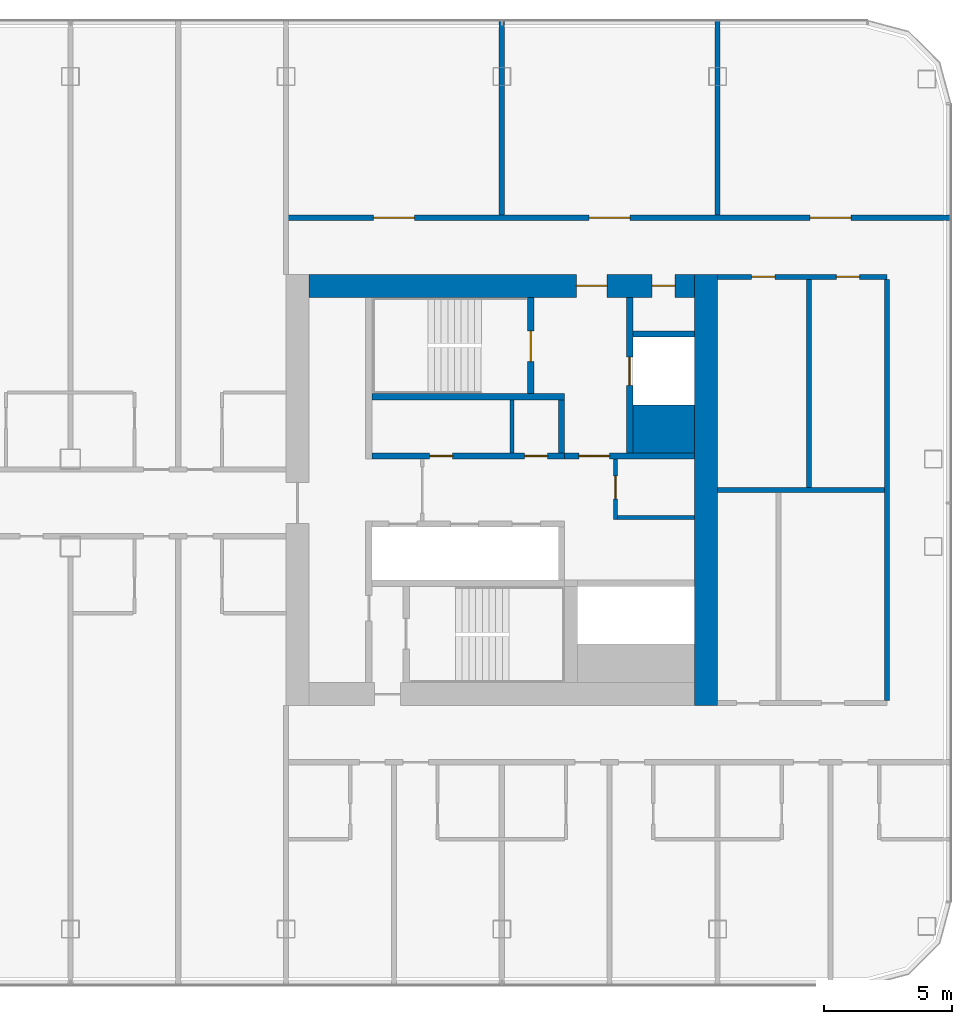
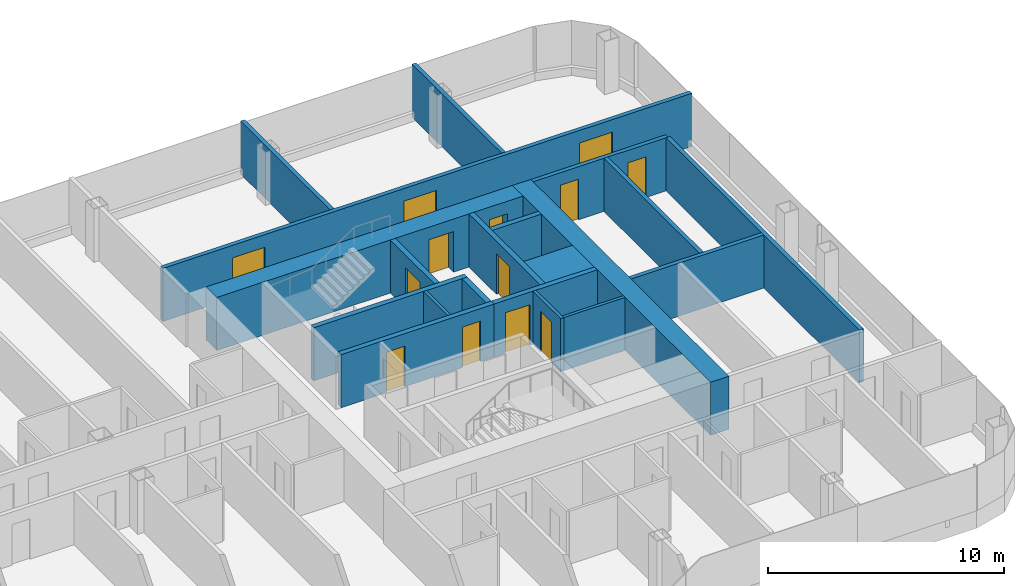
# One storey, part 17 of 26: 20 walls, 13 doors, 13 openings.
"""IFC4 building model written with IfcOpenShell, lengths in metres."""

from ifc_helpers import new_model, si_unit, direction, frame, frame_2d, origin, place, context, subcontext, project, spatial, rectangle, extrude, material, layer, layer_set, type_object, element, fill, save


model = new_model("IFC4")

# Units and contexts
model_context = context("Model", 3, precision=1e-05, world=origin(), true_north=direction((0.0, 1.0)))
body_context = subcontext(model_context, "Body", "Model", "MODEL_VIEW")
ifc_project = project(units=[si_unit("LENGTHUNIT", "METRE"), si_unit("AREAUNIT", "SQUARE_METRE"), si_unit("VOLUMEUNIT", "CUBIC_METRE"), si_unit("PLANEANGLEUNIT", "RADIAN"), si_unit("MASSUNIT", "GRAM", prefix="KILO")], contexts=[model_context])

# Site, building, storey
site_placement = place(None, origin())
site = spatial("IfcSite", under=ifc_project, at=site_placement, CompositionType="ELEMENT")
building_placement = place(site_placement, origin())
building = spatial("IfcBuilding", under=site, at=building_placement, Name="Hakoniwa Tower and Hamabe Station Hall", CompositionType="ELEMENT")
storey_placement = place(building_placement, frame((0.0, 0.0, 134.199951171875)))
storey = spatial("IfcBuildingStorey", under=building, at=storey_placement, Name="L37", CompositionType="ELEMENT", Elevation=134.199951171875)

# Wall, opening, door
ifc_material_1 = material(Name="Gypsum board partition")
ifc_layer_1 = layer(ifc_material_1, 0.14990234375)
ifc_layer_set_1 = layer_set([ifc_layer_1], Name="CORE PARTITION 150 EI 60")
wall_type_1 = type_object("IfcWallType", Name="CORE PARTITION 150 EI 60", PredefinedType="PARTITIONING", material=ifc_layer_set_1)
wall_1_placement = place(storey_placement, frame((29.625, -1.14990234375, 0.0), z_axis=(0.0, 0.0, 1.0), x_axis=(0.0, 1.0, 0.0)))
wall_1 = element("IfcWall", 1, at=wall_1_placement, inside=storey, type_object=wall_type_1, Name="Core partition PW0 east", PredefinedType="PARTITIONING", context=body_context, shape_type="SweptSolid", body=[
    extrude(rectangle(XDim=2.349853515625, YDim=0.14990234375, at=frame_2d((1.1748046875, 0.0))), origin(), (0.0, 0.0, 1.0), 2.75),
])
opening_1_placement = place(wall_1_placement, frame((0.800048828125, 0.0, 0.0)))
opening_1 = element("IfcOpeningElement", 2, at=opening_1_placement, cuts=wall_1, Name="Opening CD-E-RM1-9", PredefinedType="OPENING", context=body_context, shape_type="SweptSolid", body=[
    extrude(rectangle(XDim=0.89990234375, YDim=2.10009765625, at=frame_2d((0.449951171875, 1.050048828125))), frame((0.0, 0.0849609375, 0.0), z_axis=(0.0, -1.0, 0.0), x_axis=(1.0, 0.0, 0.0)), (0.0, 0.0, 1.0), 0.169921875),
])
ifc_material_2 = material(Name="Steel fire door", Category="steel")
door_type_1 = type_object("IfcDoorType", Name="CORE DOOR 900 FD30", OperationType="NOTDEFINED", PredefinedType="DOOR", material=ifc_material_2)
door_1_placement = place(opening_1_placement, origin())
door_1 = element("IfcDoor", 3, at=door_1_placement, inside=storey, type_object=door_type_1, Name="Store room door", OperationType="SINGLE_SWING_LEFT", OverallHeight=2.10009765625, OverallWidth=0.89990234375, PredefinedType="DOOR", context=body_context, shape_type="SweptSolid", body=[
    extrude(rectangle(XDim=0.89990234375, YDim=2.10009765625, at=frame_2d((0.449951171875, 1.050048828125))), frame((0.0, 0.02490234375, 0.0), z_axis=(0.0, -1.0, 0.0), x_axis=(1.0, 0.0, 0.0)), (0.0, 0.0, 1.0), 0.050048828125),
])
fill(opening_1, door_1)

# Walls
wall_2_placement = place(storey_placement, frame((29.699951171875, -1.074951171875, 0.0), z_axis=(0.0, 0.0, 1.0), x_axis=(1.0, 0.0, 0.0)))
element("IfcWall", 4, at=wall_2_placement, inside=storey, type_object=wall_type_1, Name="Core partition PS east", PredefinedType="PARTITIONING", context=body_context, shape_type="SweptSolid", body=[
    extrude(rectangle(XDim=3.0, YDim=0.14990234375, at=frame_2d((1.5, 0.0))), origin(), (0.0, 0.0, 1.0), 2.75),
])
wall_3_placement = place(storey_placement, frame((25.60009765625, 1.449951171875, 0.0), z_axis=(0.0, 0.0, 1.0), x_axis=(0.0, 1.0, 0.0)))
element("IfcWall", 5, at=wall_3_placement, inside=storey, type_object=wall_type_1, Name="Core partition PFLR0 east", PredefinedType="PARTITIONING", context=body_context, shape_type="SweptSolid", body=[
    extrude(rectangle(XDim=2.050048828125, YDim=0.14990234375, at=frame_2d((1.02490234375, 0.0))), origin(), (0.0, 0.0, 1.0), 2.75),
])
ifc_material_3 = material(Name="Concrete C66", Category="concrete")
ifc_layer_2 = layer(ifc_material_3, 0.89990234375)
ifc_layer_set_2 = layer_set([ifc_layer_2], Name="CORE WALL 900 C66")
wall_type_2 = type_object("IfcWallType", Name="CORE WALL 900 C66", PredefinedType="SHEAR", material=ifc_layer_set_2)
wall_4_placement = place(storey_placement, frame((33.14990234375, -8.39990234375, 0.0), z_axis=(0.0, 0.0, 1.0), x_axis=(0.0, 1.0, 0.0)))
element("IfcWall", 6, at=wall_4_placement, inside=storey, type_object=wall_type_2, Name="Core wall OUTER east", PredefinedType="SHEAR", context=body_context, shape_type="SweptSolid", body=[
    extrude(rectangle(XDim=16.7998046875, YDim=0.89990234375, at=frame_2d((8.39990234375, 0.0))), origin(), (0.0, 0.0, 1.0), 2.75),
])

# Wall, openings, doors
wall_5_placement = place(storey_placement, frame((17.699951171875, 7.949951171875, 0.0), z_axis=(0.0, 0.0, 1.0), x_axis=(1.0, 0.0, 0.0)))
wall_5 = element("IfcWall", 7, at=wall_5_placement, inside=storey, type_object=wall_type_2, Name="Core wall NORTH east", PredefinedType="SHEAR", context=body_context, shape_type="SweptSolid", body=[
    extrude(rectangle(XDim=15.0, YDim=0.89990234375, at=frame_2d((7.5, 0.0))), origin(), (0.0, 0.0, 1.0), 2.75),
])
opening_2_placement = place(wall_5_placement, frame((10.39990234375, 0.0, 0.0)))
opening_2 = element("IfcOpeningElement", 8, at=opening_2_placement, cuts=wall_5, Name="Opening CD-E-FN1-12", PredefinedType="OPENING", context=body_context, shape_type="SweptSolid", body=[
    extrude(rectangle(XDim=1.199951171875, YDim=2.10009765625, at=frame_2d((0.60009765625, 1.050048828125))), frame((0.0, 0.4599609375, 0.0), z_axis=(0.0, -1.0, 0.0), x_axis=(1.0, 0.0, 0.0)), (0.0, 0.0, 1.0), 0.919921875),
])
opening_3_placement = place(wall_5_placement, frame((13.35009765625, 0.0, 0.0)))
opening_3 = element("IfcOpeningElement", 9, at=opening_3_placement, cuts=wall_5, Name="Opening CD-E-FN2-9", PredefinedType="OPENING", context=body_context, shape_type="SweptSolid", body=[
    extrude(rectangle(XDim=0.89990234375, YDim=2.10009765625, at=frame_2d((0.449951171875, 1.050048828125))), frame((0.0, 0.4599609375, 0.0), z_axis=(0.0, -1.0, 0.0), x_axis=(1.0, 0.0, 0.0)), (0.0, 0.0, 1.0), 0.919921875),
])
ifc_material_4 = material(Name="Steel fire door", Category="steel")
door_type_2 = type_object("IfcDoorType", Name="CORE DOOR 1200 FD60", OperationType="DOUBLE_DOOR_SINGLE_SWING", PredefinedType="DOOR", material=ifc_material_4)
door_2_placement = place(opening_2_placement, origin())
door_2 = element("IfcDoor", 10, at=door_2_placement, inside=storey, type_object=door_type_2, Name="Stair vestibule door to the fire-fighting lobby", OperationType="DOUBLE_DOOR_SINGLE_SWING", OverallHeight=2.10009765625, OverallWidth=1.199951171875, PredefinedType="DOOR", context=body_context, shape_type="SweptSolid", body=[
    extrude(rectangle(XDim=1.199951171875, YDim=2.10009765625, at=frame_2d((0.60009765625, 1.050048828125))), frame((0.0, 0.02490234375, 0.0), z_axis=(0.0, -1.0, 0.0), x_axis=(1.0, 0.0, 0.0)), (0.0, 0.0, 1.0), 0.050048828125),
])
fill(opening_2, door_2)
door_3_placement = place(opening_3_placement, origin())
door_3 = element("IfcDoor", 11, at=door_3_placement, inside=storey, type_object=door_type_1, Name="Riser access door", OperationType="SINGLE_SWING_LEFT", OverallHeight=2.10009765625, OverallWidth=0.89990234375, PredefinedType="DOOR", context=body_context, shape_type="SweptSolid", body=[
    extrude(rectangle(XDim=0.89990234375, YDim=2.10009765625, at=frame_2d((0.449951171875, 1.050048828125))), frame((0.0, 0.02490234375, 0.0), z_axis=(0.0, -1.0, 0.0), x_axis=(1.0, 0.0, 0.0)), (0.0, 0.0, 1.0), 0.050048828125),
])
fill(opening_3, door_3)

# Wall
ifc_material_5 = material(Name="Concrete C66", Category="concrete")
ifc_layer_3 = layer(ifc_material_5, 1.85009765625)
ifc_layer_set_3 = layer_set([ifc_layer_3], Name="CORE WEB WALL 1850 C66")
wall_type_3 = type_object("IfcWallType", Name="CORE WEB WALL 1850 C66", PredefinedType="SHEAR", material=ifc_layer_set_3)
wall_6_placement = place(storey_placement, frame((30.300048828125, 2.375, 0.0), z_axis=(0.0, 0.0, 1.0), x_axis=(1.0, 0.0, 0.0)))
element("IfcWall", 12, at=wall_6_placement, inside=storey, type_object=wall_type_3, Name="Core wall CA east", PredefinedType="SHEAR", context=body_context, shape_type="SweptSolid", body=[
    extrude(rectangle(XDim=2.39990234375, YDim=1.85009765625, at=frame_2d((1.199951171875, 0.0))), origin(), (0.0, 0.0, 1.0), 2.75),
])

# Wall, openings, doors
ifc_material_6 = material(Name="Concrete C66", Category="concrete")
ifc_layer_4 = layer(ifc_material_6, 0.25)
ifc_layer_set_4 = layer_set([ifc_layer_4], Name="CORE WEB WALL 250 C66")
wall_type_4 = type_object("IfcWallType", Name="CORE WEB WALL 250 C66", PredefinedType="SHEAR", material=ifc_layer_set_4)
wall_7_placement = place(storey_placement, frame((20.14990234375, 1.324951171875, 0.0), z_axis=(0.0, 0.0, 1.0), x_axis=(1.0, 0.0, 0.0)))
wall_7 = element("IfcWall", 13, at=wall_7_placement, inside=storey, type_object=wall_type_4, Name="Core wall NF east", PredefinedType="SHEAR", context=body_context, shape_type="SweptSolid", body=[
    extrude(rectangle(XDim=7.5, YDim=0.25, at=frame_2d((3.75, 0.0))), origin(), (0.0, 0.0, 1.0), 2.75),
])
opening_4_placement = place(wall_7_placement, frame((2.237548828125, 0.0, 0.0)))
opening_4 = element("IfcOpeningElement", 14, at=opening_4_placement, cuts=wall_7, Name="Opening CD-E-FRLR0-9", PredefinedType="OPENING", context=body_context, shape_type="SweptSolid", body=[
    extrude(rectangle(XDim=0.89990234375, YDim=2.10009765625, at=frame_2d((0.449951171875, 1.050048828125))), frame((0.0, 0.135009765625, 0.0), z_axis=(0.0, -1.0, 0.0), x_axis=(1.0, 0.0, 0.0)), (0.0, 0.0, 1.0), 0.27001953125),
])
opening_5_placement = place(wall_7_placement, frame((5.9375, 0.0, 0.0)))
opening_5 = element("IfcOpeningElement", 15, at=opening_5_placement, cuts=wall_7, Name="Opening CD-E-FRLR1-9", PredefinedType="OPENING", context=body_context, shape_type="SweptSolid", body=[
    extrude(rectangle(XDim=0.89990234375, YDim=2.10009765625, at=frame_2d((0.449951171875, 1.050048828125))), frame((0.0, 0.135009765625, 0.0), z_axis=(0.0, -1.0, 0.0), x_axis=(1.0, 0.0, 0.0)), (0.0, 0.0, 1.0), 0.27001953125),
])
door_4_placement = place(opening_4_placement, origin())
door_4 = element("IfcDoor", 16, at=door_4_placement, inside=storey, type_object=door_type_1, Name="Store room door", OperationType="SINGLE_SWING_RIGHT", OverallHeight=2.10009765625, OverallWidth=0.89990234375, PredefinedType="DOOR", context=body_context, shape_type="SweptSolid", body=[
    extrude(rectangle(XDim=0.89990234375, YDim=2.10009765625, at=frame_2d((0.449951171875, 1.050048828125))), frame((0.0, 0.02490234375, 0.0), z_axis=(0.0, -1.0, 0.0), x_axis=(1.0, 0.0, 0.0)), (0.0, 0.0, 1.0), 0.050048828125),
])
fill(opening_4, door_4)
door_5_placement = place(opening_5_placement, origin())
door_5 = element("IfcDoor", 17, at=door_5_placement, inside=storey, type_object=door_type_1, Name="Store room door", OperationType="SINGLE_SWING_LEFT", OverallHeight=2.10009765625, OverallWidth=0.89990234375, PredefinedType="DOOR", context=body_context, shape_type="SweptSolid", body=[
    extrude(rectangle(XDim=0.89990234375, YDim=2.10009765625, at=frame_2d((0.449951171875, 1.050048828125))), frame((0.0, 0.02490234375, 0.0), z_axis=(0.0, -1.0, 0.0), x_axis=(1.0, 0.0, 0.0)), (0.0, 0.0, 1.0), 0.050048828125),
])
fill(opening_5, door_5)

# Walls
wall_8_placement = place(storey_placement, frame((27.52490234375, 1.449951171875, 0.0), z_axis=(0.0, 0.0, 1.0), x_axis=(0.0, 1.0, 0.0)))
element("IfcWall", 18, at=wall_8_placement, inside=storey, type_object=wall_type_4, Name="Core wall NE east", PredefinedType="SHEAR", context=body_context, shape_type="SweptSolid", body=[
    extrude(rectangle(XDim=2.050048828125, YDim=0.25, at=frame_2d((1.02490234375, 0.0))), origin(), (0.0, 0.0, 1.0), 2.75),
])
wall_9_placement = place(storey_placement, frame((20.14990234375, 3.625, 0.0), z_axis=(0.0, 0.0, 1.0), x_axis=(1.0, 0.0, 0.0)))
element("IfcWall", 19, at=wall_9_placement, inside=storey, type_object=wall_type_4, Name="Core wall NR east", PredefinedType="SHEAR", context=body_context, shape_type="SweptSolid", body=[
    extrude(rectangle(XDim=7.5, YDim=0.25, at=frame_2d((3.75, 0.0))), origin(), (0.0, 0.0, 1.0), 2.75),
])

# Wall, opening, door
wall_10_placement = place(storey_placement, frame((26.324951171875, 3.75, 0.0), z_axis=(0.0, 0.0, 1.0), x_axis=(0.0, 1.0, 0.0)))
wall_10 = element("IfcWall", 20, at=wall_10_placement, inside=storey, type_object=wall_type_4, Name="Core wall NSE east", PredefinedType="SHEAR", context=body_context, shape_type="SweptSolid", body=[
    extrude(rectangle(XDim=3.75, YDim=0.25, at=frame_2d((1.875, 0.0))), origin(), (0.0, 0.0, 1.0), 2.75),
])
opening_6_placement = place(wall_10_placement, frame((1.25, 0.0, 0.0)))
opening_6 = element("IfcOpeningElement", 21, at=opening_6_placement, cuts=wall_10, Name="Opening CD-E-SN-12", PredefinedType="OPENING", context=body_context, shape_type="SweptSolid", body=[
    extrude(rectangle(XDim=1.199951171875, YDim=2.10009765625, at=frame_2d((0.60009765625, 1.050048828125))), frame((0.0, 0.135009765625, 0.0), z_axis=(0.0, -1.0, 0.0), x_axis=(1.0, 0.0, 0.0)), (0.0, 0.0, 1.0), 0.27001953125),
])
door_6_placement = place(opening_6_placement, origin())
door_6 = element("IfcDoor", 22, at=door_6_placement, inside=storey, type_object=door_type_2, Name="Escape stair door", OperationType="DOUBLE_DOOR_SINGLE_SWING", OverallHeight=2.10009765625, OverallWidth=1.199951171875, PredefinedType="DOOR", context=body_context, shape_type="SweptSolid", body=[
    extrude(rectangle(XDim=1.199951171875, YDim=2.10009765625, at=frame_2d((0.60009765625, 1.050048828125))), frame((0.0, 0.02490234375, 0.0), z_axis=(0.0, -1.0, 0.0), x_axis=(1.0, 0.0, 0.0)), (0.0, 0.0, 1.0), 0.050048828125),
])
fill(opening_6, door_6)

wall_11_placement = place(storey_placement, frame((27.64990234375, 1.324951171875, 0.0), z_axis=(0.0, 0.0, 1.0), x_axis=(1.0, 0.0, 0.0)))
wall_11 = element("IfcWall", 23, at=wall_11_placement, inside=storey, type_object=wall_type_4, Name="Core wall ELN east", PredefinedType="SHEAR", context=body_context, shape_type="SweptSolid", body=[
    extrude(rectangle(XDim=5.050048828125, YDim=0.25, at=frame_2d((2.52490234375, 0.0))), origin(), (0.0, 0.0, 1.0), 2.75),
])
opening_7_placement = place(wall_11_placement, frame((0.550048828125, 0.0, 0.0)))
opening_7 = element("IfcOpeningElement", 24, at=opening_7_placement, cuts=wall_11, Name="Opening CD-E-FL-12", PredefinedType="OPENING", context=body_context, shape_type="SweptSolid", body=[
    extrude(rectangle(XDim=1.199951171875, YDim=2.10009765625, at=frame_2d((0.60009765625, 1.050048828125))), frame((0.0, 0.135009765625, 0.0), z_axis=(0.0, -1.0, 0.0), x_axis=(1.0, 0.0, 0.0)), (0.0, 0.0, 1.0), 0.27001953125),
])
door_7_placement = place(opening_7_placement, origin())
door_7 = element("IfcDoor", 25, at=door_7_placement, inside=storey, type_object=door_type_2, Name="Stair vestibule door to the fire-fighting lobby", OperationType="DOUBLE_DOOR_SINGLE_SWING", OverallHeight=2.10009765625, OverallWidth=1.199951171875, PredefinedType="DOOR", context=body_context, shape_type="SweptSolid", body=[
    extrude(rectangle(XDim=1.199951171875, YDim=2.10009765625, at=frame_2d((0.60009765625, 1.050048828125))), frame((0.0, 0.02490234375, 0.0), z_axis=(0.0, -1.0, 0.0), x_axis=(1.0, 0.0, 0.0)), (0.0, 0.0, 1.0), 0.050048828125),
])
fill(opening_7, door_7)

wall_12_placement = place(storey_placement, frame((30.175048828125, 1.449951171875, 0.0), z_axis=(0.0, 0.0, 1.0), x_axis=(0.0, 1.0, 0.0)))
wall_12 = element("IfcWall", 26, at=wall_12_placement, inside=storey, type_object=wall_type_4, Name="Core wall FFF east", PredefinedType="SHEAR", context=body_context, shape_type="SweptSolid", body=[
    extrude(rectangle(XDim=6.050048828125, YDim=0.25, at=frame_2d((3.02490234375, 0.0))), origin(), (0.0, 0.0, 1.0), 2.75),
])
opening_8_placement = place(wall_12_placement, frame((2.625, 0.0, 0.0)))
opening_8 = element("IfcOpeningElement", 27, at=opening_8_placement, cuts=wall_12, Name="Opening LD-FF2", PredefinedType="OPENING", context=body_context, shape_type="SweptSolid", body=[
    extrude(rectangle(XDim=1.10009765625, YDim=2.10009765625, at=frame_2d((0.550048828125, 1.050048828125))), frame((0.0, 0.135009765625, 0.0), z_axis=(0.0, -1.0, 0.0), x_axis=(1.0, 0.0, 0.0)), (0.0, 0.0, 1.0), 0.27001953125),
])
ifc_material_7 = material(Name="Stainless steel SUS304", Category="steel")
door_type_3 = type_object("IfcDoorType", Name="LIFT LANDING DOOR 1100 FD60", OperationType="DOUBLE_DOOR_SLIDING", PredefinedType="DOOR", material=ifc_material_7)
door_8_placement = place(opening_8_placement, origin())
door_8 = element("IfcDoor", 28, at=door_8_placement, inside=storey, type_object=door_type_3, Name="Lift landing door FF2 L37", OperationType="DOUBLE_DOOR_SLIDING", OverallHeight=2.10009765625, OverallWidth=1.10009765625, PredefinedType="DOOR", context=body_context, shape_type="SweptSolid", body=[
    extrude(rectangle(XDim=1.10009765625, YDim=2.10009765625, at=frame_2d((0.550048828125, 1.050048828125))), frame((0.0, 0.02490234375, 0.0), z_axis=(0.0, -1.0, 0.0), x_axis=(1.0, 0.0, 0.0)), (0.0, 0.0, 1.0), 0.050048828125),
])
fill(opening_8, door_8)

# Wall
wall_13_placement = place(storey_placement, frame((30.300048828125, 6.074951171875, 0.0), z_axis=(0.0, 0.0, 1.0), x_axis=(1.0, 0.0, 0.0)))
element("IfcWall", 29, at=wall_13_placement, inside=storey, type_object=wall_type_4, Name="Core wall C2 east", PredefinedType="SHEAR", context=body_context, shape_type="SweptSolid", body=[
    extrude(rectangle(XDim=2.39990234375, YDim=0.25, at=frame_2d((1.199951171875, 0.0))), origin(), (0.0, 0.0, 1.0), 2.75),
])

# Wall, openings, doors
ifc_material_8 = material(Name="Fire-rated gypsum board partition", Category="gypsum")
ifc_layer_5 = layer(ifc_material_8, 0.199951171875)
ifc_layer_set_5 = layer_set([ifc_layer_5], Name="Corridor Wall 200")
wall_type_5 = type_object("IfcWallType", Name="Corridor Wall 200", PredefinedType="PARTITIONING", material=ifc_layer_set_5)
wall_14_placement = place(storey_placement, frame((33.60009765625, 8.300048828125, 0.0), z_axis=(0.0, 0.0, 1.0), x_axis=(1.0, 0.0, 0.0)))
wall_14 = element("IfcWall", 30, at=wall_14_placement, inside=storey, type_object=wall_type_5, Name="GW-L37-027", PredefinedType="PARTITIONING", context=body_context, shape_type="SweptSolid", body=[
    extrude(rectangle(XDim=6.599853515625, YDim=0.199951171875, at=frame_2d((3.2998046875, 0.0))), origin(), (0.0, 0.0, 1.0), 2.75),
])
opening_9_placement = place(wall_14_placement, frame((1.330078125, 0.0, 0.0)))
opening_9 = element("IfcOpeningElement", 31, at=opening_9_placement, cuts=wall_14, Name="Opening GD-G3B0-32", PredefinedType="OPENING", context=body_context, shape_type="SweptSolid", body=[
    extrude(rectangle(XDim=0.89990234375, YDim=2.10009765625, at=frame_2d((0.449951171875, 1.050048828125))), frame((0.0, 0.10986328125, 0.0), z_axis=(0.0, -1.0, 0.0), x_axis=(1.0, 0.0, 0.0)), (0.0, 0.0, 1.0), 0.219970703125),
])
opening_10_placement = place(wall_14_placement, frame((4.6298828125, 0.0, 0.0)))
opening_10 = element("IfcOpeningElement", 32, at=opening_10_placement, cuts=wall_14, Name="Opening GD-G3B0-33", PredefinedType="OPENING", context=body_context, shape_type="SweptSolid", body=[
    extrude(rectangle(XDim=0.89990234375, YDim=2.10009765625, at=frame_2d((0.449951171875, 1.050048828125))), frame((0.0, 0.10986328125, 0.0), z_axis=(0.0, -1.0, 0.0), x_axis=(1.0, 0.0, 0.0)), (0.0, 0.0, 1.0), 0.219970703125),
])
ifc_material_9 = material(Name="Timber door leaf", Category="wood")
door_type_4 = type_object("IfcDoorType", Name="Service Door 900", OperationType="SINGLE_SWING_LEFT", PredefinedType="DOOR", material=ifc_material_9)
door_9_placement = place(opening_9_placement, origin())
door_9 = element("IfcDoor", 33, at=door_9_placement, inside=storey, type_object=door_type_4, Name="Door GD-G3B0-32", OperationType="SINGLE_SWING_RIGHT", OverallHeight=2.10009765625, OverallWidth=0.89990234375, PredefinedType="DOOR", context=body_context, shape_type="SweptSolid", body=[
    extrude(rectangle(XDim=0.89990234375, YDim=2.10009765625, at=frame_2d((0.449951171875, 1.050048828125))), frame((0.0, 0.02490234375, 0.0), z_axis=(0.0, -1.0, 0.0), x_axis=(1.0, 0.0, 0.0)), (0.0, 0.0, 1.0), 0.050048828125),
])
fill(opening_9, door_9)
door_10_placement = place(opening_10_placement, origin())
door_10 = element("IfcDoor", 34, at=door_10_placement, inside=storey, type_object=door_type_4, Name="Door GD-G3B0-33", OperationType="SINGLE_SWING_RIGHT", OverallHeight=2.10009765625, OverallWidth=0.89990234375, PredefinedType="DOOR", context=body_context, shape_type="SweptSolid", body=[
    extrude(rectangle(XDim=0.89990234375, YDim=2.10009765625, at=frame_2d((0.449951171875, 1.050048828125))), frame((0.0, 0.02490234375, 0.0), z_axis=(0.0, -1.0, 0.0), x_axis=(1.0, 0.0, 0.0)), (0.0, 0.0, 1.0), 0.050048828125),
])
fill(opening_10, door_10)

wall_15_placement = place(storey_placement, frame((16.800048828125, 10.60009765625, 0.0), z_axis=(0.0, 0.0, 1.0), x_axis=(1.0, 0.0, 0.0)))
wall_15 = element("IfcWall", 35, at=wall_15_placement, inside=storey, type_object=wall_type_5, Name="GW-L37-029", PredefinedType="PARTITIONING", context=body_context, shape_type="SweptSolid", body=[
    extrude(rectangle(XDim=25.89990234375, YDim=0.199951171875, at=frame_2d((12.949951171875, 0.0))), origin(), (0.0, 0.0, 1.0), 2.75),
])
opening_11_placement = place(wall_15_placement, frame((3.39990234375, 0.0, 0.0)))
opening_11 = element("IfcOpeningElement", 36, at=opening_11_placement, cuts=wall_15, Name="Opening GD-G3B0-40", PredefinedType="OPENING", context=body_context, shape_type="SweptSolid", body=[
    extrude(rectangle(XDim=1.60009765625, YDim=2.10009765625, at=frame_2d((0.800048828125, 1.050048828125))), frame((0.0, 0.10986328125, 0.0), z_axis=(0.0, -1.0, 0.0), x_axis=(1.0, 0.0, 0.0)), (0.0, 0.0, 1.0), 0.219970703125),
])
opening_12_placement = place(wall_15_placement, frame((11.800048828125, 0.0, 0.0)))
opening_12 = element("IfcOpeningElement", 37, at=opening_12_placement, cuts=wall_15, Name="Opening GD-G3B0-41", PredefinedType="OPENING", context=body_context, shape_type="SweptSolid", body=[
    extrude(rectangle(XDim=1.60009765625, YDim=2.10009765625, at=frame_2d((0.800048828125, 1.050048828125))), frame((0.0, 0.10986328125, 0.0), z_axis=(0.0, -1.0, 0.0), x_axis=(1.0, 0.0, 0.0)), (0.0, 0.0, 1.0), 0.219970703125),
])
opening_13_placement = place(wall_15_placement, frame((20.39990234375, 0.0, 0.0)))
opening_13 = element("IfcOpeningElement", 38, at=opening_13_placement, cuts=wall_15, Name="Opening GD-G3B0-42", PredefinedType="OPENING", context=body_context, shape_type="SweptSolid", body=[
    extrude(rectangle(XDim=1.60009765625, YDim=2.10009765625, at=frame_2d((0.800048828125, 1.050048828125))), frame((0.0, 0.10986328125, 0.0), z_axis=(0.0, -1.0, 0.0), x_axis=(1.0, 0.0, 0.0)), (0.0, 0.0, 1.0), 0.219970703125),
])
ifc_material_10 = material(Name="Timber door leaf", Category="wood")
door_type_5 = type_object("IfcDoorType", Name="Double Door 1600", OperationType="DOUBLE_DOOR_SINGLE_SWING", PredefinedType="DOOR", material=ifc_material_10)
door_11_placement = place(opening_11_placement, origin())
door_11 = element("IfcDoor", 39, at=door_11_placement, inside=storey, type_object=door_type_5, Name="Door GD-G3B0-40", OperationType="DOUBLE_DOOR_SINGLE_SWING", OverallHeight=2.10009765625, OverallWidth=1.60009765625, PredefinedType="DOOR", context=body_context, shape_type="SweptSolid", body=[
    extrude(rectangle(XDim=1.60009765625, YDim=2.10009765625, at=frame_2d((0.800048828125, 1.050048828125))), frame((0.0, 0.02490234375, 0.0), z_axis=(0.0, -1.0, 0.0), x_axis=(1.0, 0.0, 0.0)), (0.0, 0.0, 1.0), 0.050048828125),
])
fill(opening_11, door_11)
door_12_placement = place(opening_12_placement, origin())
door_12 = element("IfcDoor", 40, at=door_12_placement, inside=storey, type_object=door_type_5, Name="Door GD-G3B0-41", OperationType="DOUBLE_DOOR_SINGLE_SWING", OverallHeight=2.10009765625, OverallWidth=1.60009765625, PredefinedType="DOOR", context=body_context, shape_type="SweptSolid", body=[
    extrude(rectangle(XDim=1.60009765625, YDim=2.10009765625, at=frame_2d((0.800048828125, 1.050048828125))), frame((0.0, 0.02490234375, 0.0), z_axis=(0.0, -1.0, 0.0), x_axis=(1.0, 0.0, 0.0)), (0.0, 0.0, 1.0), 0.050048828125),
])
fill(opening_12, door_12)
door_13_placement = place(opening_13_placement, origin())
door_13 = element("IfcDoor", 41, at=door_13_placement, inside=storey, type_object=door_type_5, Name="Door GD-G3B0-42", OperationType="DOUBLE_DOOR_SINGLE_SWING", OverallHeight=2.10009765625, OverallWidth=1.60009765625, PredefinedType="DOOR", context=body_context, shape_type="SweptSolid", body=[
    extrude(rectangle(XDim=1.60009765625, YDim=2.10009765625, at=frame_2d((0.800048828125, 1.050048828125))), frame((0.0, 0.02490234375, 0.0), z_axis=(0.0, -1.0, 0.0), x_axis=(1.0, 0.0, 0.0)), (0.0, 0.0, 1.0), 0.050048828125),
])
fill(opening_13, door_13)

# Walls
ifc_material_11 = material(Name="Fire-rated gypsum board partition", Category="gypsum")
ifc_layer_6 = layer(ifc_material_11, 0.199951171875)
ifc_layer_set_6 = layer_set([ifc_layer_6], Name="Party Wall 200")
wall_type_6 = type_object("IfcWallType", Name="Party Wall 200", PredefinedType="PARTITIONING", material=ifc_layer_set_6)
wall_16_placement = place(storey_placement, frame((33.60009765625, 0.0, 0.0), z_axis=(0.0, 0.0, 1.0), x_axis=(1.0, 0.0, 0.0)))
element("IfcWall", 42, at=wall_16_placement, inside=storey, type_object=wall_type_6, Name="GW-L37-019", PredefinedType="PARTITIONING", context=body_context, shape_type="SweptSolid", body=[
    extrude(rectangle(XDim=6.5, YDim=0.199951171875, at=frame_2d((3.25, 0.0))), origin(), (0.0, 0.0, 1.0), 2.75),
])
for number, where, z_axis, x_axis, name in (
    (43, (25.199951171875, 10.699951171875, 0.0), (0.0, 0.0, 1.0), (0.0, 1.0, 0.0), "GW-L37-088"),
    (44, (33.60009765625, 10.699951171875, 0.0), (0.0, 0.0, 1.0), (0.0, 1.0, 0.0), "GW-L37-093"),
):
    element("IfcWall", number, at=place(storey_placement, frame(where, z_axis=z_axis, x_axis=x_axis)), inside=storey, type_object=wall_type_6, Name=name, PredefinedType="PARTITIONING", context=body_context, shape_type="SweptSolid", body=[
        extrude(rectangle(XDim=7.60009765625, YDim=0.199951171875, at=frame_2d((3.800048828125, 0.0))), origin(), (0.0, 0.0, 1.0), 2.75),
    ])
wall_17_placement = place(storey_placement, frame((37.159912109375, 0.0, 0.0), z_axis=(0.0, 0.0, 1.0), x_axis=(0.0, 1.0, 0.0)))
element("IfcWall", 45, at=wall_17_placement, inside=storey, type_object=wall_type_6, Name="GW-L37-096", PredefinedType="PARTITIONING", context=body_context, shape_type="SweptSolid", body=[
    extrude(rectangle(XDim=8.199951171875, YDim=0.199951171875, at=frame_2d((4.10009765625, 0.0))), origin(), (0.0, 0.0, 1.0), 2.75),
])
wall_18_placement = place(storey_placement, frame((40.199951171875, -8.199951171875, 0.0), z_axis=(0.0, 0.0, 1.0), x_axis=(0.0, 1.0, 0.0)))
element("IfcWall", 46, at=wall_18_placement, inside=storey, type_object=wall_type_6, Name="GW-L37-099", PredefinedType="PARTITIONING", context=body_context, shape_type="SweptSolid", body=[
    extrude(rectangle(XDim=16.39990234375, YDim=0.199951171875, at=frame_2d((8.199951171875, 0.0))), origin(), (0.0, 0.0, 1.0), 2.75),
])

save(model, "model.ifc")
